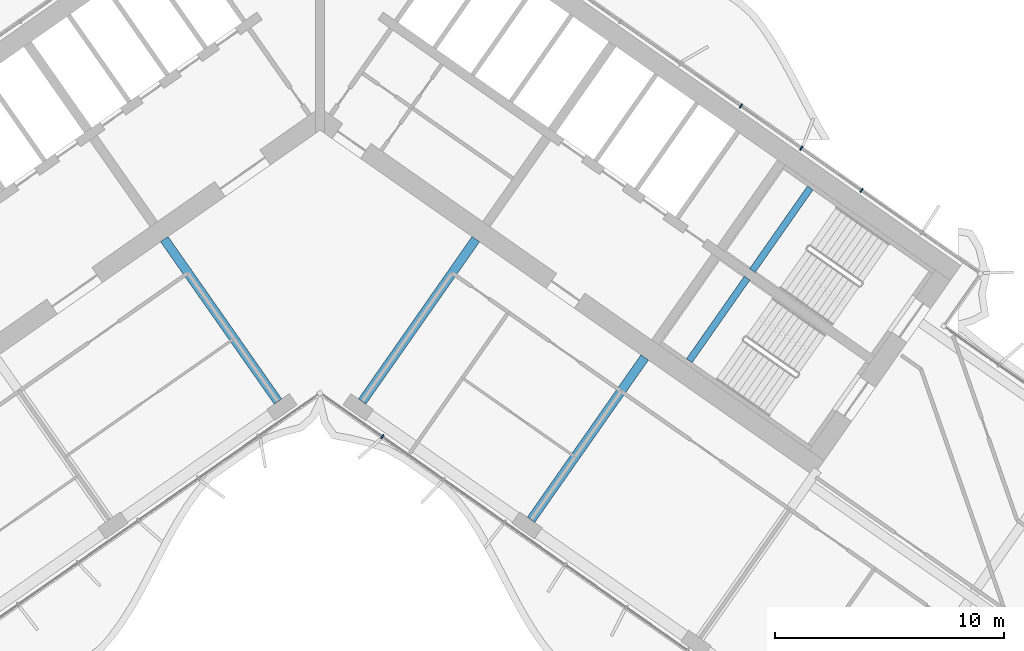
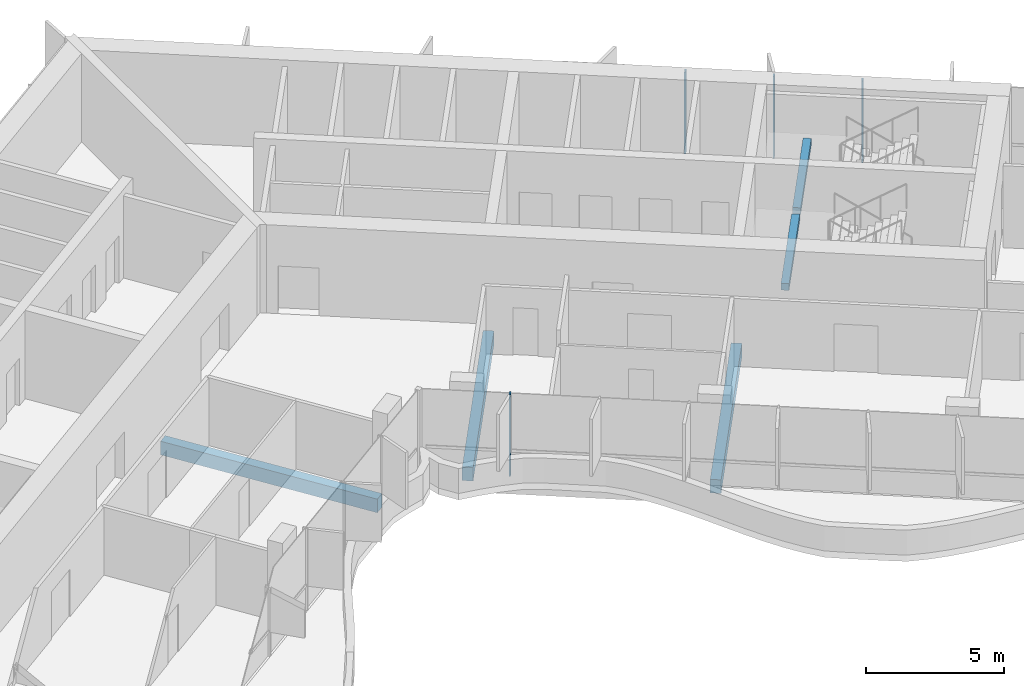
# One storey, part 6 of 23: 5 beams, 4 members, 2 elements without a shape of their own.
"""IFC4 building model written with IfcOpenShell, lengths in metres."""

from ifc_helpers import new_model, si_unit, direction, frame, origin, origin_2d, place, context, subcontext, project, spatial, rectangle, extrude, material, material_profile, profile_set, type_object, element, aggregate, save


model = new_model("IFC4")

# Units and contexts
model_context = context("Model", 3, precision=1e-05, world=origin(), true_north=direction((0.0, 1.0)))
body_context = subcontext(model_context, "Body", "Model", "MODEL_VIEW")
ifc_project = project(units=[si_unit("LENGTHUNIT", "METRE"), si_unit("AREAUNIT", "SQUARE_METRE"), si_unit("VOLUMEUNIT", "CUBIC_METRE"), si_unit("PLANEANGLEUNIT", "RADIAN"), si_unit("MASSUNIT", "GRAM", prefix="KILO")], contexts=[model_context])

# Site, building, storey
site_placement = place(None, origin())
site = spatial("IfcSite", under=ifc_project, at=site_placement, CompositionType="ELEMENT")
building_placement = place(site_placement, origin())
building = spatial("IfcBuilding", under=site, at=building_placement, Name="Tel Ilan Convention Tower", CompositionType="ELEMENT")
storey_placement = place(building_placement, frame((0.0, 0.0, 190.5)))
storey = spatial("IfcBuildingStorey", under=building, at=storey_placement, Name="L44", CompositionType="ELEMENT", Elevation=190.5)

# Beams
ifc_material_1 = material(Name="Concrete C40/50", Category="concrete")
ifc_material_profile_1 = material_profile(ifc_material_1, rectangle(XDim=0.39990234375, YDim=0.60009765625, at=origin_2d()), Name="RC 400x600")
ifc_profile_set_1 = profile_set([ifc_material_profile_1], Name="Concrete C40/50")
beam_type_1 = type_object("IfcBeamType", Name="Beam RC 400x600 Concrete C40/50", PredefinedType="BEAM", material=ifc_profile_set_1)
for number, where, z_axis, x_axis, name in (
    (1, (-1.83740234375, -13.06689453125, -0.580078125), (-0.573574099654, 0.819153680457, 0.0), (-0.819153680457, -0.573574099654, 0.0), "L44 beam W-W-F1-core"),
    (2, (1.83740234375, -13.06689453125, -0.580078125), (0.573574099654, 0.819153680457, 0.0), (-0.819153680457, 0.573574099654, 0.0), "L44 beam E-E-F1-core"),
    (3, (9.209716796875, -18.229248046875, -0.580078125), (0.573574099654, 0.819153680457, 0.0), (-0.819153680457, 0.573574099654, 0.0), "L44 beam E-E-F2-core"),
):
    element("IfcBeam", number, at=place(storey_placement, frame(where, z_axis=z_axis, x_axis=x_axis)), inside=storey, type_object=beam_type_1, Name=name, PredefinedType="BEAM", context=body_context, shape_type="SweptSolid", body=[
        extrude(rectangle(XDim=0.39990234375, YDim=0.60009765625, at=origin_2d()), origin(), (0.0, 0.0, 1.0), 8.64990234375),
    ])

# Curtain wall, members
ifc_material_2 = material(Name="Aluminium, bronze anodised", Category="aluminium")
curtain_wall_type_1 = type_object("IfcCurtainWallType", Name="CW2 STICK CURTAIN WALL, SPANDREL PANELS", PredefinedType="NOTDEFINED", material=ifc_material_2)
curtain_wall_1_placement = place(storey_placement, origin())
curtain_wall_1 = element("IfcCurtainWall", 4, at=curtain_wall_1_placement, inside=storey, type_object=curtain_wall_type_1, Name="Curtain wall CW2-34.03", PredefinedType="NOTDEFINED")
ifc_material_3 = material(Name="Aluminium, bronze anodised", Category="aluminium")
ifc_material_profile_2 = material_profile(ifc_material_3, rectangle(XDim=0.06005859375, YDim=0.199951171875, at=origin_2d()), Name="CW MULLION 60x200")
ifc_profile_set_2 = profile_set([ifc_material_profile_2], Name="Aluminium, bronze anodised")
member_type = type_object("IfcMemberType", Name="CW MULLION 60x200", PredefinedType="MULLION", material=ifc_profile_set_2)
member_1_placement = place(storey_placement, frame((23.63623046875, -3.854248046875, 0.0), z_axis=(0.0, 0.0, 1.0), x_axis=(-0.819152044289, 0.573576436351, 0.0)))
member_1 = element("IfcMember", 5, at=member_1_placement, type_object=member_type, Name="Mullion", PredefinedType="MULLION", context=body_context, shape_type="SweptSolid", body=[
    extrude(rectangle(XDim=0.06005859375, YDim=0.199951171875, at=origin_2d()), origin(), (0.0, 0.0, 1.0), 3.6201171875),
])
member_2_placement = place(storey_placement, frame((21.003662109375, -2.0107421875, 0.0), z_axis=(0.0, 0.0, 1.0), x_axis=(-0.819152044289, 0.573576436351, 0.0)))
member_2 = element("IfcMember", 6, at=member_2_placement, type_object=member_type, Name="Mullion", PredefinedType="MULLION", context=body_context, shape_type="SweptSolid", body=[
    extrude(rectangle(XDim=0.06005859375, YDim=0.199951171875, at=origin_2d()), origin(), (0.0, 0.0, 1.0), 3.6201171875),
])
member_3_placement = place(storey_placement, frame((18.37109375, -0.16748046875, 0.0), z_axis=(0.0, 0.0, 1.0), x_axis=(-0.819152044289, 0.573576436351, 0.0)))
member_3 = element("IfcMember", 7, at=member_3_placement, type_object=member_type, Name="Mullion", PredefinedType="MULLION", context=body_context, shape_type="SweptSolid", body=[
    extrude(rectangle(XDim=0.06005859375, YDim=0.199951171875, at=origin_2d()), origin(), (0.0, 0.0, 1.0), 3.6201171875),
])
aggregate(curtain_wall_1, [member_1, member_2, member_3])

# Curtain wall, member
ifc_material_4 = material(Name="Aluminium, bronze anodised", Category="aluminium")
curtain_wall_type_2 = type_object("IfcCurtainWallType", Name="CW4 STICK CURTAIN WALL, OFFICE TINTED GLASS", PredefinedType="NOTDEFINED", material=ifc_material_4)
curtain_wall_2_placement = place(storey_placement, origin())
curtain_wall_2 = element("IfcCurtainWall", 8, at=curtain_wall_2_placement, inside=storey, type_object=curtain_wall_type_2, Name="Curtain wall CW4-34.04", PredefinedType="NOTDEFINED")
member_4_placement = place(storey_placement, frame((2.719482421875, -14.60009765625, 0.0), z_axis=(0.0, 0.0, 1.0), x_axis=(0.819152044289, -0.573576436351, 0.0)))
member_4 = element("IfcMember", 9, at=member_4_placement, type_object=member_type, Name="Mullion", PredefinedType="MULLION", context=body_context, shape_type="SweptSolid", body=[
    extrude(rectangle(XDim=0.06005859375, YDim=0.199951171875, at=origin_2d()), origin(), (0.0, 0.0, 1.0), 3.6201171875),
])
aggregate(curtain_wall_2, [member_4])

# Beams
ifc_material_5 = material(Name="Concrete C40/50", Category="concrete")
ifc_material_profile_3 = material_profile(ifc_material_5, rectangle(XDim=0.300048828125, YDim=0.300048828125, at=origin_2d()), Name="RC 300x300")
ifc_profile_set_3 = profile_set([ifc_material_profile_3], Name="Concrete C40/50")
beam_type_2 = type_object("IfcBeamType", Name="Landing Beam RC 300x300 Concrete C40/50", PredefinedType="BEAM", material=ifc_profile_set_3)
beam_1_placement = place(storey_placement, frame((21.39404296875, -3.7490234375, 1.60009765625), z_axis=(-0.57354426506, -0.819174569928, 0.0), x_axis=(0.819174569928, -0.57354426506, 0.0)))
element("IfcBeam", 10, at=beam_1_placement, inside=storey, type_object=beam_type_2, Name="S3 landing beam L44.1", PredefinedType="BEAM", context=body_context, shape_type="SweptSolid", body=[
    extrude(rectangle(XDim=0.300048828125, YDim=0.300048828125, at=origin_2d()), origin(), (0.0, 0.0, 1.0), 4.400146484375),
])
beam_2_placement = place(storey_placement, frame((18.640869140625, -7.68115234375, 1.60009765625), z_axis=(-0.573570334442, -0.819156316858, 0.0), x_axis=(0.819156316858, -0.573570334442, 0.0)))
element("IfcBeam", 11, at=beam_2_placement, inside=storey, type_object=beam_type_2, Name="S4 landing beam L44.1", PredefinedType="BEAM", context=body_context, shape_type="SweptSolid", body=[
    extrude(rectangle(XDim=0.300048828125, YDim=0.300048828125, at=origin_2d()), origin(), (0.0, 0.0, 1.0), 4.39990234375),
])

save(model, "model.ifc")
